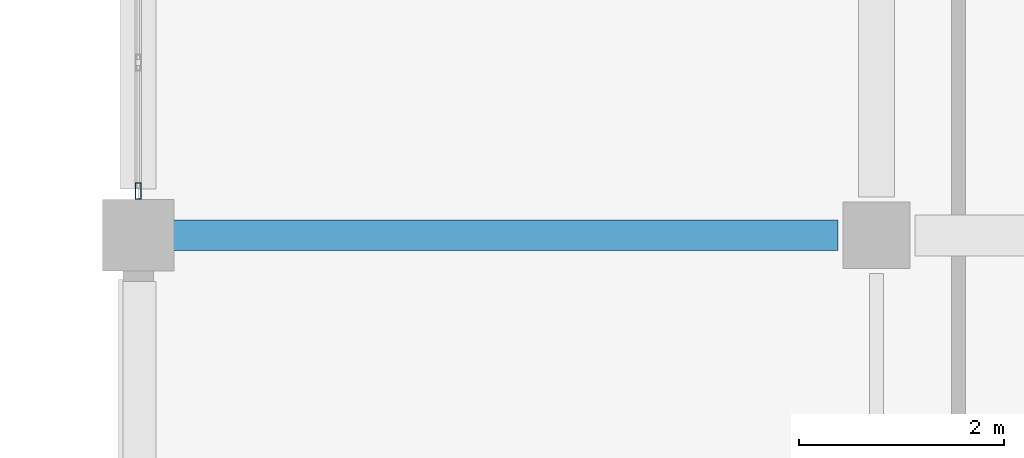
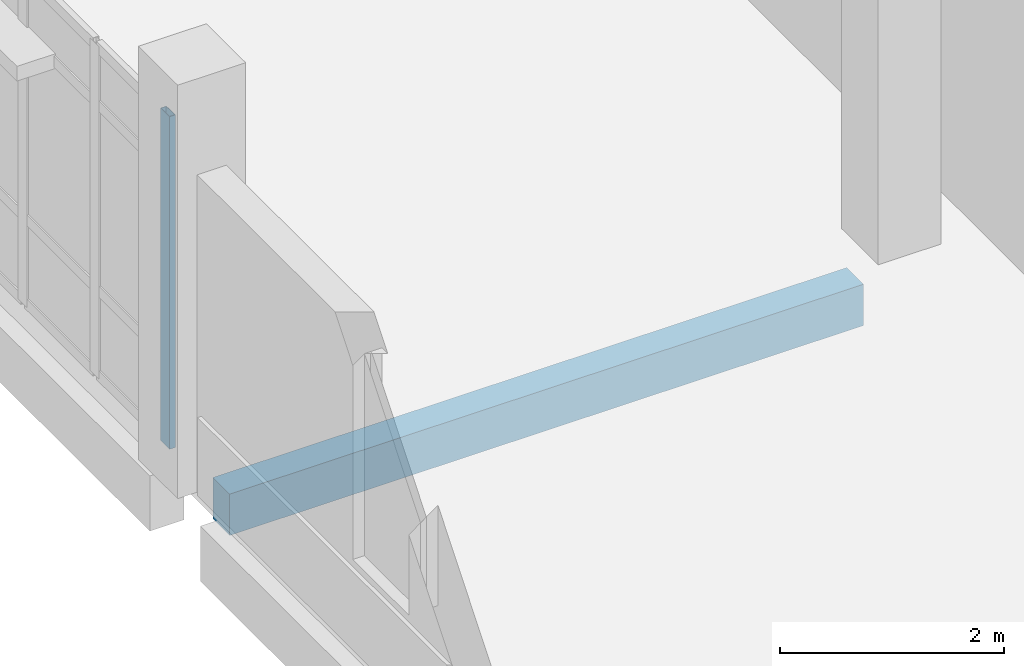
# One storey, part 9 of 124: 1 beam, 1 member, 1 element without a shape of its own.
"""IFC4 building model written with IfcOpenShell, lengths in metres."""

from ifc_helpers import new_model, si_unit, direction, frame, origin, origin_2d, place, context, subcontext, project, spatial, rectangle, hollow_rectangle, extrude, material, material_profile, profile_set, type_object, element, aggregate, save


model = new_model("IFC4")

# Units and contexts
model_context = context("Model", 3, precision=1e-05, world=origin(), true_north=direction((0.0, 1.0)))
body_context = subcontext(model_context, "Body", "Model", "MODEL_VIEW")
ifc_project = project(units=[si_unit("LENGTHUNIT", "METRE"), si_unit("AREAUNIT", "SQUARE_METRE"), si_unit("VOLUMEUNIT", "CUBIC_METRE"), si_unit("PLANEANGLEUNIT", "RADIAN"), si_unit("MASSUNIT", "GRAM", prefix="KILO")], contexts=[model_context])

# Site, building, storey
site_placement = place(None, origin())
site = spatial("IfcSite", under=ifc_project, at=site_placement, CompositionType="ELEMENT")
building_placement = place(site_placement, origin())
building = spatial("IfcBuilding", under=site, at=building_placement, Name="Kalluvel Institute of Natural Sciences", CompositionType="ELEMENT")
storey_placement = place(building_placement, frame((0.0, 0.0, 9.89990234375)))
storey = spatial("IfcBuildingStorey", under=building, at=storey_placement, Name="L02", CompositionType="ELEMENT", Elevation=9.89990234375)

# Curtain wall, member
ifc_material_1 = material(Name="Aluminium AW-6063 T6", Category="aluminium")
curtain_wall_type = type_object("IfcCurtainWallType", Name="CW-DRY-45", PredefinedType="USERDEFINED", material=ifc_material_1)
curtain_wall_placement = place(storey_placement, origin())
curtain_wall = element("IfcCurtainWall", 1, at=curtain_wall_placement, inside=storey, type_object=curtain_wall_type, Name="L02 Gothic lancet curtain wall CWA-L02-X140-Y288", ObjectType="UNITISED LANCET FACADE", PredefinedType="USERDEFINED")
ifc_material_profile_1 = material_profile(ifc_material_1, hollow_rectangle(XDim=0.06005859375, YDim=0.159912109375, WallThickness=0.00390625, at=origin_2d()), Name="CWM 60x160")
ifc_profile_set_1 = profile_set([ifc_material_profile_1], Name="Aluminium AW-6063 T6")
member_type = type_object("IfcMemberType", Name="CWM-60x160", PredefinedType="MULLION", material=ifc_profile_set_1)
member_placement = place(storey_placement, frame((14.0, 28.830078125, 0.0), z_axis=(0.0, 0.0, 1.0), x_axis=(-1.0, 0.0, 0.0)))
member = element("IfcMember", 2, at=member_placement, type_object=member_type, Name="CW-03 mullion 1", PredefinedType="MULLION", context=body_context, shape_type="SweptSolid", body=[
    extrude(hollow_rectangle(XDim=0.06005859375, YDim=0.159912109375, WallThickness=0.00390625, at=origin_2d()), origin(), (0.0, 0.0, 1.0), 3.6201171875),
])
aggregate(curtain_wall, [member])

# Beam
ifc_material_2 = material(Name="Concrete M40", Category="concrete")
ifc_material_profile_2 = material_profile(ifc_material_2, rectangle(XDim=0.300048828125, YDim=0.449951171875, at=origin_2d()), Name="RCB 300x450")
ifc_profile_set_2 = profile_set([ifc_material_profile_2], Name="Concrete M40")
beam_type = type_object("IfcBeamType", Name="SP-RC300x450", PredefinedType="SPANDREL", material=ifc_profile_set_2)
beam_placement = place(storey_placement, frame((14.300048828125, 28.39990234375, -0.52490234375), z_axis=(1.0, 0.0, 0.0), x_axis=(0.0, 1.0, 0.0)))
element("IfcBeam", 3, at=beam_placement, inside=storey, type_object=beam_type, Name="L02 girder GIR-L02-EW-X140-Y284", PredefinedType="SPANDREL", context=body_context, shape_type="SweptSolid", body=[
    extrude(rectangle(XDim=0.300048828125, YDim=0.449951171875, at=origin_2d()), origin(), (0.0, 0.0, 1.0), 6.52490234375),
])

save(model, "model.ifc")
